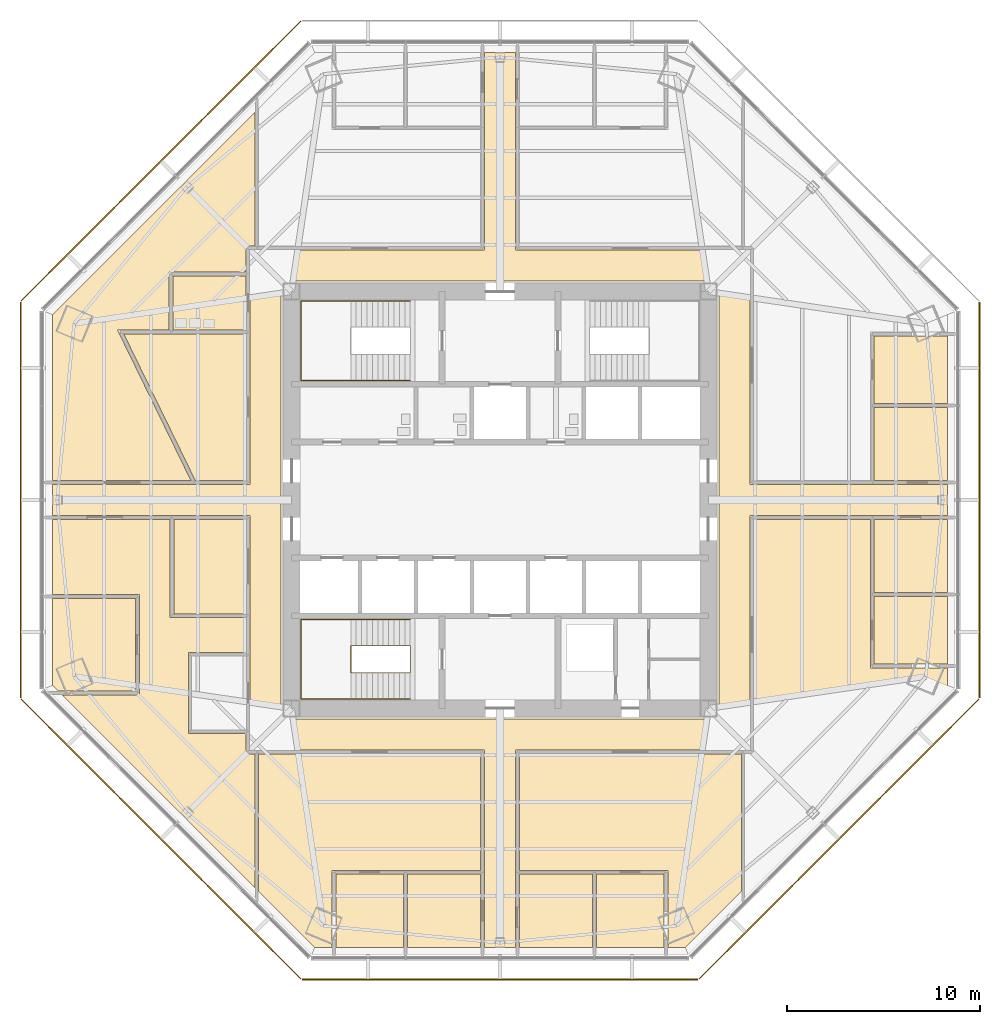
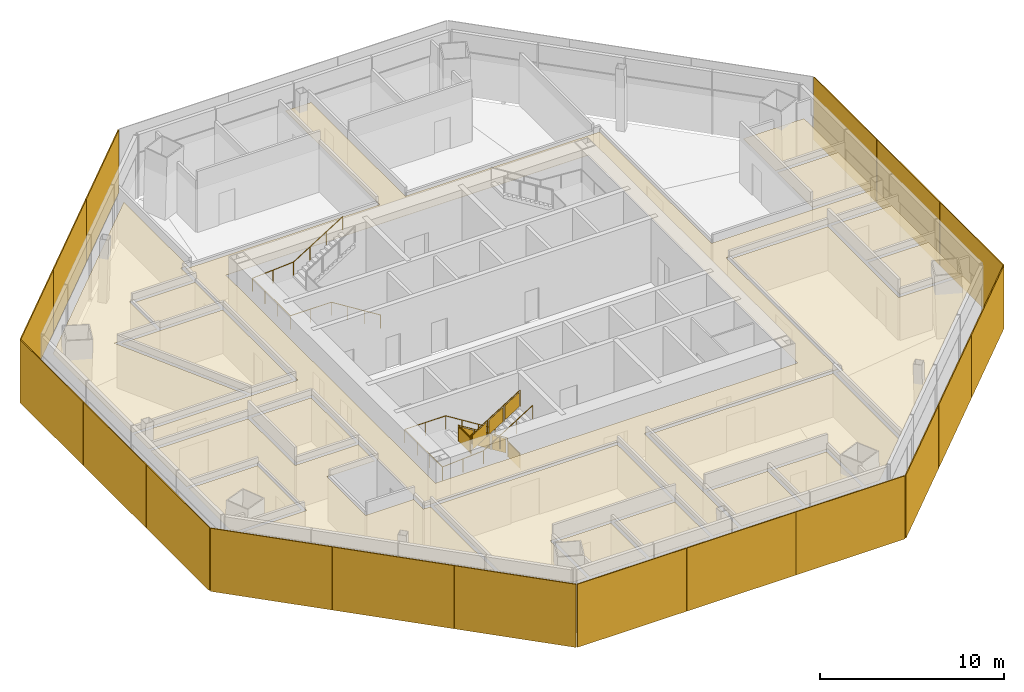
# One storey, part 13 of 15: 18 coverings, 18 shading devices, 3 railings.
"""IFC4 building model written with IfcOpenShell, lengths in metres."""

from ifc_helpers import new_model, si_unit, direction, frame, origin, origin_2d, place, context, subcontext, project, spatial, polyline, rectangle, circle, outline, extrude, source, transform, mapped, material, layer, layer_set, type_object, type_shapes, element, save


model = new_model("IFC4")

# Units and contexts
model_context = context("Model", 3, precision=1e-05, world=origin(), true_north=direction((0.0, 1.0)))
body_context = subcontext(model_context, "Body", "Model", "MODEL_VIEW")
ifc_project = project(units=[si_unit("LENGTHUNIT", "METRE"), si_unit("AREAUNIT", "SQUARE_METRE"), si_unit("VOLUMEUNIT", "CUBIC_METRE"), si_unit("PLANEANGLEUNIT", "RADIAN"), si_unit("MASSUNIT", "GRAM", prefix="KILO")], contexts=[model_context])

# Site, building, storey
site_placement = place(None, origin())
site = spatial("IfcSite", under=ifc_project, at=site_placement, CompositionType="ELEMENT")
building_placement = place(site_placement, origin())
building = spatial("IfcBuilding", under=site, at=building_placement, Name="Mashrafa Tower", CompositionType="ELEMENT")
storey_placement = place(building_placement, frame((0.0, 0.0, 151.199951171875)))
storey = spatial("IfcBuildingStorey", under=building, at=storey_placement, Name="L34", CompositionType="ELEMENT", Elevation=151.199951171875)

# Railings
ifc_material_1 = material(Name="Steel guard with glass infill", Category="steel")
railing_type_1 = type_object("IfcRailingType", Name="Stair guard 1100", PredefinedType="GUARDRAIL", material=ifc_material_1)
railing_1_placement = place(storey_placement, frame((-4.64990234375, -8.949951171875, 0.0)))
element("IfcRailing", 1, at=railing_1_placement, inside=storey, type_object=railing_type_1, Name="Stair S3 guard L34", PredefinedType="GUARDRAIL", context=body_context, shape_type="SweptSolid", body=[
    extrude(circle(Radius=0.02392578125, at=origin_2d()), frame((0.0, 0.0, 1.076171875), z_axis=(0.0, 1.0, 0.0), x_axis=(-1.0, 0.0, 0.0)), (0.0, 0.0, 1.0), 1.39990234375),
    extrude(circle(Radius=0.02392578125, at=origin_2d()), frame((0.0, 1.39990234375, 1.076171875), z_axis=(0.0, 0.0, 1.0), x_axis=(1.0, 0.0, 0.0)), (0.0, 0.0, 1.0), 0.175048828125),
    extrude(circle(Radius=0.02392578125, at=origin_2d()), frame((0.0, 1.39990234375, 1.2509765625), z_axis=(-0.847998304005, 0.0, 0.529998940003), x_axis=(0.0, -1.0, 0.0)), (0.0, 0.0, 1.0), 3.632080078125),
    extrude(circle(Radius=0.02392578125, at=origin_2d()), frame((-3.080078125, 1.39990234375, 3.17626953125), z_axis=(0.0, -1.0, 0.0), x_axis=(1.0, 0.0, 0.0)), (0.0, 0.0, 1.0), 1.39990234375),
    extrude(circle(Radius=0.02392578125, at=origin_2d()), frame((-3.080078125, 0.0, 3.17626953125), z_axis=(0.0, 0.0, 1.0), x_axis=(1.0, 0.0, 0.0)), (0.0, 0.0, 1.0), 0.175048828125),
    extrude(circle(Radius=0.02392578125, at=origin_2d()), frame((-3.080078125, 0.0, 3.35107421875), z_axis=(0.848028513186, 0.0, 0.529950602248), x_axis=(0.0, 1.0, 0.0)), (0.0, 0.0, 1.0), 3.632080078125),
    extrude(circle(Radius=0.02099609375, at=origin_2d()), origin(), (0.0, 0.0, 1.0), 1.052001953125),
    extrude(circle(Radius=0.02099609375, at=origin_2d()), frame((0.0, 1.39990234375, 0.0)), (0.0, 0.0, 1.0), 1.052001953125),
    extrude(circle(Radius=0.02099609375, at=origin_2d()), frame((0.0, 1.39990234375, 0.175048828125)), (0.0, 0.0, 1.0), 1.052001953125),
    extrude(circle(Radius=0.02099609375, at=origin_2d()), frame((-1.026611328125, 1.39990234375, 0.816650390625)), (0.0, 0.0, 1.0), 1.052001953125),
    extrude(circle(Radius=0.02099609375, at=origin_2d()), frame((-2.053466796875, 1.39990234375, 1.45849609375)), (0.0, 0.0, 1.0), 1.052001953125),
    extrude(circle(Radius=0.02099609375, at=origin_2d()), frame((-3.080078125, 1.39990234375, 2.10009765625)), (0.0, 0.0, 1.0), 1.052001953125),
    extrude(circle(Radius=0.02099609375, at=origin_2d()), frame((-3.080078125, 0.0, 2.10009765625)), (0.0, 0.0, 1.0), 1.052001953125),
    extrude(circle(Radius=0.02099609375, at=origin_2d()), frame((-3.080078125, 0.0, 2.275146484375)), (0.0, 0.0, 1.0), 1.052001953125),
    extrude(circle(Radius=0.02099609375, at=origin_2d()), frame((-2.053466796875, 0.0, 2.916748046875)), (0.0, 0.0, 1.0), 1.052001953125),
    extrude(circle(Radius=0.02099609375, at=origin_2d()), frame((-1.026611328125, 0.0, 3.558349609375)), (0.0, 0.0, 1.0), 1.052001953125),
    extrude(circle(Radius=0.02099609375, at=origin_2d()), frame((0.0, 0.0, 4.199951171875)), (0.0, 0.0, 1.0), 1.052001953125),
    extrude(outline(polyline([(0.071044921875, 0.050048828125), (1.328857421875, 0.050048828125), (1.328857421875, 1.001953125), (0.071044921875, 1.001953125), (0.071044921875, 0.050048828125)])), frame((0.006103515625, 0.0, 0.0), z_axis=(1.0, 0.0, 0.0), x_axis=(0.0, 1.0, 0.0)), (0.0, 0.0, 1.0), 0.011962890625),
    extrude(outline(polyline([(0.071044921875, 0.094482421875), (0.955810546875, 0.647216796875), (0.955810546875, 1.599365234375), (0.071044921875, 1.04638671875), (0.071044921875, 0.094482421875)])), frame((0.0, 1.406005859375, 0.175048828125), z_axis=(0.0, 1.0, 0.0), x_axis=(-1.0, 0.0, 0.0)), (0.0, 0.0, 1.0), 0.011962890625),
    extrude(outline(polyline([(1.09765625, 0.736083984375), (1.982421875, 1.2890625), (1.982421875, 2.240966796875), (1.09765625, 1.68798828125), (1.09765625, 0.736083984375)])), frame((0.0, 1.406005859375, 0.175048828125), z_axis=(0.0, 1.0, 0.0), x_axis=(-1.0, 0.0, 0.0)), (0.0, 0.0, 1.0), 0.011962890625),
    extrude(outline(polyline([(2.124267578125, 1.377685546875), (3.009033203125, 1.9306640625), (3.009033203125, 2.882568359375), (2.124267578125, 2.329833984375), (2.124267578125, 1.377685546875)])), frame((0.0, 1.406005859375, 0.175048828125), z_axis=(0.0, 1.0, 0.0), x_axis=(-1.0, 0.0, 0.0)), (0.0, 0.0, 1.0), 0.011962890625),
    extrude(outline(polyline([(0.071044921875, 0.050048828125), (1.328857421875, 0.050048828125), (1.328857421875, 1.001953125), (0.071044921875, 1.001953125), (0.071044921875, 0.050048828125)])), frame((-3.086181640625, 1.39990234375, 2.10009765625), z_axis=(-1.0, 0.0, 0.0), x_axis=(0.0, -1.0, 0.0)), (0.0, 0.0, 1.0), 0.011962890625),
    extrude(outline(polyline([(0.071044921875, 0.094482421875), (0.955810546875, 0.647216796875), (0.955810546875, 1.59912109375), (0.071044921875, 1.04638671875), (0.071044921875, 0.094482421875)])), frame((-3.080078125, -0.006103515625, 2.275146484375), z_axis=(0.0, -1.0, 0.0), x_axis=(1.0, 0.0, 0.0)), (0.0, 0.0, 1.0), 0.011962890625),
    extrude(outline(polyline([(1.09765625, 0.736083984375), (1.982421875, 1.288818359375), (1.982421875, 2.24072265625), (1.09765625, 1.68798828125), (1.09765625, 0.736083984375)])), frame((-3.080078125, -0.006103515625, 2.275146484375), z_axis=(0.0, -1.0, 0.0), x_axis=(1.0, 0.0, 0.0)), (0.0, 0.0, 1.0), 0.011962890625),
    extrude(outline(polyline([(2.124267578125, 1.377685546875), (3.009033203125, 1.930419921875), (3.009033203125, 2.88232421875), (2.124267578125, 2.32958984375), (2.124267578125, 1.377685546875)])), frame((-3.080078125, -0.006103515625, 2.275146484375), z_axis=(0.0, -1.0, 0.0), x_axis=(1.0, 0.0, 0.0)), (0.0, 0.0, 1.0), 0.011962890625),
])
ifc_material_2 = material(Name="Steel", Category="steel")
railing_type_2 = type_object("IfcRailingType", Name="Stair handrail 900", PredefinedType="HANDRAIL", material=ifc_material_2)
railing_2_placement = place(storey_placement, frame((-4.64990234375, 6.199951171875, 0.175048828125)))
element("IfcRailing", 2, at=railing_2_placement, inside=storey, type_object=railing_type_2, Name="Stair S1 handrail L34", PredefinedType="HANDRAIL", context=body_context, shape_type="SweptSolid", body=[
    extrude(circle(Radius=0.02392578125, at=origin_2d()), frame((0.0, 0.0, 0.8759765625), z_axis=(-0.847998304005, 0.0, 0.529998940003), x_axis=(0.0, -1.0, 0.0)), (0.0, 0.0, 1.0), 3.632080078125),
    extrude(circle(Radius=0.02392578125, at=origin_2d()), frame((-3.080078125, 0.0, 2.80078125), z_axis=(-1.0, 0.0, 0.0), x_axis=(0.0, -1.0, 0.0)), (0.0, 0.0, 1.0), 2.570068359375),
    extrude(circle(Radius=0.02392578125, at=origin_2d()), frame((-5.650146484375, 0.0, 2.80078125), z_axis=(0.0, 1.0, 0.0), x_axis=(-1.0, 0.0, 0.0)), (0.0, 0.0, 1.0), 4.10009765625),
    extrude(circle(Radius=0.02392578125, at=origin_2d()), frame((-5.650146484375, 4.10009765625, 2.80078125), z_axis=(0.997688514158, 0.0, 0.067953136188), x_axis=(0.0, 1.0, 0.0)), (0.0, 0.0, 1.0), 2.575927734375),
    extrude(circle(Radius=0.02392578125, at=origin_2d()), frame((-3.080078125, 4.10009765625, 2.97607421875), z_axis=(0.848028513186, 0.0, 0.529950602248), x_axis=(0.0, 1.0, 0.0)), (0.0, 0.0, 1.0), 3.632080078125),
    extrude(circle(Radius=0.02099609375, at=origin_2d()), origin(), (0.0, 0.0, 1.0), 0.851806640625),
    extrude(circle(Radius=0.02099609375, at=origin_2d()), frame((-1.026611328125, 0.0, 0.6416015625)), (0.0, 0.0, 1.0), 0.851806640625),
    extrude(circle(Radius=0.02099609375, at=origin_2d()), frame((-2.053466796875, 0.0, 1.283447265625)), (0.0, 0.0, 1.0), 0.851806640625),
    extrude(circle(Radius=0.02099609375, at=origin_2d()), frame((-3.080078125, 0.0, 1.925048828125)), (0.0, 0.0, 1.0), 0.851806640625),
    extrude(circle(Radius=0.02099609375, at=origin_2d()), frame((-4.365234375, 0.0, 1.925048828125)), (0.0, 0.0, 1.0), 0.851806640625),
    extrude(circle(Radius=0.02099609375, at=origin_2d()), frame((-5.650146484375, 0.0, 1.925048828125)), (0.0, 0.0, 1.0), 0.851806640625),
    extrude(circle(Radius=0.02099609375, at=origin_2d()), frame((-5.650146484375, 1.36669921875, 1.925048828125)), (0.0, 0.0, 1.0), 0.851806640625),
    extrude(circle(Radius=0.02099609375, at=origin_2d()), frame((-5.650146484375, 2.7333984375, 1.925048828125)), (0.0, 0.0, 1.0), 0.851806640625),
    extrude(circle(Radius=0.02099609375, at=origin_2d()), frame((-5.650146484375, 4.10009765625, 1.925048828125)), (0.0, 0.0, 1.0), 0.851806640625),
    extrude(circle(Radius=0.02099609375, at=origin_2d()), frame((-4.365234375, 4.10009765625, 2.0126953125)), (0.0, 0.0, 1.0), 0.851806640625),
    extrude(circle(Radius=0.02099609375, at=origin_2d()), frame((-3.080078125, 4.10009765625, 2.10009765625)), (0.0, 0.0, 1.0), 0.851806640625),
    extrude(circle(Radius=0.02099609375, at=origin_2d()), frame((-2.053466796875, 4.10009765625, 2.74169921875)), (0.0, 0.0, 1.0), 0.851806640625),
    extrude(circle(Radius=0.02099609375, at=origin_2d()), frame((-1.026611328125, 4.10009765625, 3.38330078125)), (0.0, 0.0, 1.0), 0.851806640625),
    extrude(circle(Radius=0.02099609375, at=origin_2d()), frame((0.0, 4.10009765625, 4.02490234375)), (0.0, 0.0, 1.0), 0.851806640625),
])
railing_3_placement = place(storey_placement, frame((-4.64990234375, -6.199951171875, 0.175048828125)))
element("IfcRailing", 3, at=railing_3_placement, inside=storey, type_object=railing_type_2, Name="Stair S3 handrail L34", PredefinedType="HANDRAIL", context=body_context, shape_type="SweptSolid", body=[
    extrude(circle(Radius=0.02392578125, at=origin_2d()), frame((0.0, 0.0, 0.8759765625), z_axis=(-0.847998304005, 0.0, 0.529998940003), x_axis=(0.0, -1.0, 0.0)), (0.0, 0.0, 1.0), 3.632080078125),
    extrude(circle(Radius=0.02392578125, at=origin_2d()), frame((-3.080078125, 0.0, 2.80078125), z_axis=(-1.0, 0.0, 0.0), x_axis=(0.0, -1.0, 0.0)), (0.0, 0.0, 1.0), 2.570068359375),
    extrude(circle(Radius=0.02392578125, at=origin_2d()), frame((-5.650146484375, 0.0, 2.80078125), z_axis=(0.0, -1.0, 0.0), x_axis=(1.0, 0.0, 0.0)), (0.0, 0.0, 1.0), 4.10009765625),
    extrude(circle(Radius=0.02392578125, at=origin_2d()), frame((-5.650146484375, -4.10009765625, 2.80078125), z_axis=(0.997688514158, 0.0, 0.067953136188), x_axis=(0.0, 1.0, 0.0)), (0.0, 0.0, 1.0), 2.575927734375),
    extrude(circle(Radius=0.02392578125, at=origin_2d()), frame((-3.080078125, -4.10009765625, 2.97607421875), z_axis=(0.848028513186, 0.0, 0.529950602248), x_axis=(0.0, 1.0, 0.0)), (0.0, 0.0, 1.0), 3.632080078125),
    extrude(circle(Radius=0.02099609375, at=origin_2d()), origin(), (0.0, 0.0, 1.0), 0.851806640625),
    extrude(circle(Radius=0.02099609375, at=origin_2d()), frame((-1.026611328125, 0.0, 0.6416015625)), (0.0, 0.0, 1.0), 0.851806640625),
    extrude(circle(Radius=0.02099609375, at=origin_2d()), frame((-2.053466796875, 0.0, 1.283447265625)), (0.0, 0.0, 1.0), 0.851806640625),
    extrude(circle(Radius=0.02099609375, at=origin_2d()), frame((-3.080078125, 0.0, 1.925048828125)), (0.0, 0.0, 1.0), 0.851806640625),
    extrude(circle(Radius=0.02099609375, at=origin_2d()), frame((-4.365234375, 0.0, 1.925048828125)), (0.0, 0.0, 1.0), 0.851806640625),
    extrude(circle(Radius=0.02099609375, at=origin_2d()), frame((-5.650146484375, 0.0, 1.925048828125)), (0.0, 0.0, 1.0), 0.851806640625),
    extrude(circle(Radius=0.02099609375, at=origin_2d()), frame((-5.650146484375, -1.36669921875, 1.925048828125)), (0.0, 0.0, 1.0), 0.851806640625),
    extrude(circle(Radius=0.02099609375, at=origin_2d()), frame((-5.650146484375, -2.7333984375, 1.925048828125)), (0.0, 0.0, 1.0), 0.851806640625),
    extrude(circle(Radius=0.02099609375, at=origin_2d()), frame((-5.650146484375, -4.10009765625, 1.925048828125)), (0.0, 0.0, 1.0), 0.851806640625),
    extrude(circle(Radius=0.02099609375, at=origin_2d()), frame((-4.365234375, -4.10009765625, 2.0126953125)), (0.0, 0.0, 1.0), 0.851806640625),
    extrude(circle(Radius=0.02099609375, at=origin_2d()), frame((-3.080078125, -4.10009765625, 2.10009765625)), (0.0, 0.0, 1.0), 0.851806640625),
    extrude(circle(Radius=0.02099609375, at=origin_2d()), frame((-2.053466796875, -4.10009765625, 2.74169921875)), (0.0, 0.0, 1.0), 0.851806640625),
    extrude(circle(Radius=0.02099609375, at=origin_2d()), frame((-1.026611328125, -4.10009765625, 3.38330078125)), (0.0, 0.0, 1.0), 0.851806640625),
    extrude(circle(Radius=0.02099609375, at=origin_2d()), frame((0.0, -4.10009765625, 4.02490234375)), (0.0, 0.0, 1.0), 0.851806640625),
])

# Coverings
ifc_material_3 = material(Name="Mineral fibre tile on suspension grid")
ifc_layer_1 = layer(ifc_material_3, 0.014892578125)
ifc_layer_set_1 = layer_set([ifc_layer_1], Name="Suspended ceiling mineral tile 15")
covering_type = type_object("IfcCoveringType", Name="Suspended ceiling mineral tile 15", PredefinedType="CEILING", material=ifc_layer_set_1)
covering_1_placement = place(storey_placement, frame((0.0, 0.0, 2.900146484375)))
element("IfcCovering", 4, at=covering_1_placement, inside=storey, type_object=covering_type, Name="Ceiling Office Corridor L34", PredefinedType="CEILING", context=body_context, shape_type="SweptSolid", body=[
    extrude(outline(polyline([(-12.949951171875, -12.949951171875), (-12.949951171875, -0.800048828125), (-23.1875, -0.800048828125), (-23.1875, 0.800048828125), (-12.949951171875, 0.800048828125), (-12.949951171875, 12.949951171875), (-0.800048828125, 12.949951171875), (-0.800048828125, 23.1875), (0.800048828125, 23.1875), (0.800048828125, 12.949951171875), (12.949951171875, 12.949951171875), (12.949951171875, 0.800048828125), (23.1875, 0.800048828125), (23.1875, -0.800048828125), (12.949951171875, -0.800048828125), (12.949951171875, -12.949951171875), (0.800048828125, -12.949951171875), (0.800048828125, -23.1875), (-0.800048828125, -23.1875), (-0.800048828125, -12.949951171875), (-12.949951171875, -12.949951171875)]), holes=[polyline([(11.35009765625, 11.35009765625), (-11.35009765625, 11.35009765625), (-11.35009765625, -11.35009765625), (11.35009765625, -11.35009765625), (11.35009765625, 11.35009765625)])]), origin(), (0.0, 0.0, 1.0), 0.014892578125),
])
covering_2_placement = place(storey_placement, frame((0.0, 0.0, 2.900146484375)))
element("IfcCovering", 5, at=covering_2_placement, inside=storey, type_object=covering_type, Name="Ceiling Musallah Prayer Room 34", PredefinedType="CEILING", context=body_context, shape_type="SweptSolid", body=[
    extrude(outline(polyline([(-15.783203125, 1.0), (-19.489990234375, 8.60009765625), (-13.14990234375, 8.60009765625), (-13.14990234375, 1.0), (-15.783203125, 1.0)])), origin(), (0.0, 0.0, 1.0), 0.014892578125),
])
covering_3_placement = place(storey_placement, frame((0.0, 0.0, 2.900146484375)))
element("IfcCovering", 6, at=covering_3_placement, inside=storey, type_object=covering_type, Name="Ceiling Ablution Room L34", PredefinedType="CEILING", context=body_context, shape_type="SweptSolid", body=[
    extrude(outline(polyline([(-16.949951171875, 8.800048828125), (-16.949951171875, 11.60009765625), (-13.14990234375, 11.60009765625), (-13.14990234375, 8.800048828125), (-16.949951171875, 8.800048828125)])), origin(), (0.0, 0.0, 1.0), 0.014892578125),
])
covering_4_placement = place(storey_placement, frame((0.0, 0.0, 2.900146484375)))
element("IfcCovering", 7, at=covering_4_placement, inside=storey, type_object=covering_type, Name="Ceiling Serviced Office 34-EA-1", PredefinedType="CEILING", context=body_context, shape_type="SweptSolid", body=[
    extrude(outline(polyline([(19.387451171875, 4.800048828125), (23.1875, 4.800048828125), (23.1875, 1.0), (19.387451171875, 1.0), (19.387451171875, 4.800048828125)])), origin(), (0.0, 0.0, 1.0), 0.014892578125),
])
covering_5_placement = place(storey_placement, frame((0.0, 0.0, 2.900146484375)))
element("IfcCovering", 8, at=covering_5_placement, inside=storey, type_object=covering_type, Name="Ceiling Serviced Office 34-NE1", PredefinedType="CEILING", context=body_context, shape_type="SweptSolid", body=[
    extrude(outline(polyline([(19.387451171875, 8.5), (23.1875, 8.5), (23.1875, 5.0), (19.387451171875, 5.0), (19.387451171875, 8.5)])), origin(), (0.0, 0.0, 1.0), 0.014892578125),
])
covering_6_placement = place(storey_placement, frame((0.0, 0.0, 2.900146484375)))
element("IfcCovering", 9, at=covering_6_placement, inside=storey, type_object=covering_type, Name="Ceiling Serviced Office 34-SE1", PredefinedType="CEILING", context=body_context, shape_type="SweptSolid", body=[
    extrude(outline(polyline([(19.387451171875, -5.0), (23.1875, -5.0), (23.1875, -8.5), (19.387451171875, -8.5), (19.387451171875, -5.0)])), origin(), (0.0, 0.0, 1.0), 0.014892578125),
])
covering_7_placement = place(storey_placement, frame((0.0, 0.0, 2.900146484375)))
element("IfcCovering", 10, at=covering_7_placement, inside=storey, type_object=covering_type, Name="Ceiling Serviced Office 34-EB-2", PredefinedType="CEILING", context=body_context, shape_type="SweptSolid", body=[
    extrude(outline(polyline([(19.387451171875, -1.0), (23.1875, -1.0), (23.1875, -4.800048828125), (19.387451171875, -4.800048828125), (19.387451171875, -1.0)])), origin(), (0.0, 0.0, 1.0), 0.014892578125),
])
covering_8_placement = place(storey_placement, frame((0.0, 0.0, 2.900146484375)))
element("IfcCovering", 11, at=covering_8_placement, inside=storey, type_object=covering_type, Name="Ceiling Serviced Office 34-SA-1", PredefinedType="CEILING", context=body_context, shape_type="SweptSolid", body=[
    extrude(outline(polyline([(1.0, -19.387451171875), (4.800048828125, -19.387451171875), (4.800048828125, -23.1875), (1.0, -23.1875), (1.0, -19.387451171875)])), origin(), (0.0, 0.0, 1.0), 0.014892578125),
])
covering_9_placement = place(storey_placement, frame((0.0, 0.0, 2.900146484375)))
element("IfcCovering", 12, at=covering_9_placement, inside=storey, type_object=covering_type, Name="Ceiling Serviced Office 34-SE2", PredefinedType="CEILING", context=body_context, shape_type="SweptSolid", body=[
    extrude(outline(polyline([(5.0, -19.387451171875), (8.5, -19.387451171875), (8.5, -23.1875), (5.0, -23.1875), (5.0, -19.387451171875)])), origin(), (0.0, 0.0, 1.0), 0.014892578125),
])
covering_10_placement = place(storey_placement, frame((0.0, 0.0, 2.900146484375)))
element("IfcCovering", 13, at=covering_10_placement, inside=storey, type_object=covering_type, Name="Ceiling Serviced Office 34-SW2", PredefinedType="CEILING", context=body_context, shape_type="SweptSolid", body=[
    extrude(outline(polyline([(-8.5, -19.387451171875), (-5.0, -19.387451171875), (-5.0, -23.1875), (-8.5, -23.1875), (-8.5, -19.387451171875)])), origin(), (0.0, 0.0, 1.0), 0.014892578125),
])
covering_11_placement = place(storey_placement, frame((0.0, 0.0, 2.900146484375)))
element("IfcCovering", 14, at=covering_11_placement, inside=storey, type_object=covering_type, Name="Ceiling Serviced Office 34-SB-2", PredefinedType="CEILING", context=body_context, shape_type="SweptSolid", body=[
    extrude(outline(polyline([(-4.800048828125, -19.387451171875), (-1.0, -19.387451171875), (-1.0, -23.1875), (-4.800048828125, -23.1875), (-4.800048828125, -19.387451171875)])), origin(), (0.0, 0.0, 1.0), 0.014892578125),
])
covering_12_placement = place(storey_placement, frame((0.0, 0.0, 2.900146484375)))
element("IfcCovering", 15, at=covering_12_placement, inside=storey, type_object=covering_type, Name="Ceiling Meeting Room 34-SW1", PredefinedType="CEILING", context=body_context, shape_type="SweptSolid", body=[
    extrude(outline(polyline([(-18.887451171875, -5.10009765625), (-18.887451171875, -9.89990234375), (-22.89208984375, -9.89990234375), (-23.1875, -9.6044921875), (-23.1875, -5.10009765625), (-18.887451171875, -5.10009765625)])), origin(), (0.0, 0.0, 1.0), 0.014892578125),
])
covering_13_placement = place(storey_placement, frame((0.0, 0.0, 2.900146484375)))
element("IfcCovering", 16, at=covering_13_placement, inside=storey, type_object=covering_type, Name="Ceiling Business Centre Reception 34", PredefinedType="CEILING", context=body_context, shape_type="SweptSolid", body=[
    extrude(outline(polyline([(-16.89990234375, -1.0), (-13.14990234375, -1.0), (-13.14990234375, -5.89990234375), (-16.89990234375, -5.89990234375), (-16.89990234375, -1.0)])), origin(), (0.0, 0.0, 1.0), 0.014892578125),
])
covering_14_placement = place(storey_placement, frame((0.0, 0.0, 2.900146484375)))
element("IfcCovering", 17, at=covering_14_placement, inside=storey, type_object=covering_type, Name="Ceiling Business Centre Suite 34-NW1", PredefinedType="CEILING", context=body_context, shape_type="SweptSolid", body=[
    extrude(outline(polyline([(-23.1875, 1.0), (-23.1875, 9.6044921875), (-12.699951171875, 20.092041015625), (-12.699951171875, 13.14990234375), (-13.14990234375, 13.14990234375), (-13.14990234375, 11.800048828125), (-17.14990234375, 11.800048828125), (-17.14990234375, 8.800048828125), (-19.81005859375, 8.800048828125), (-16.005615234375, 1.0), (-23.1875, 1.0)])), origin(), (0.0, 0.0, 1.0), 0.014892578125),
])
covering_15_placement = place(storey_placement, frame((0.0, 0.0, 2.900146484375)))
element("IfcCovering", 18, at=covering_15_placement, inside=storey, type_object=covering_type, Name="Ceiling Business Centre Suite 34-SW1", PredefinedType="CEILING", context=body_context, shape_type="SweptSolid", body=[
    extrude(outline(polyline([(-12.699951171875, -20.092041015625), (-22.692138671875, -10.10009765625), (-18.6875, -10.10009765625), (-18.6875, -4.89990234375), (-23.1875, -4.89990234375), (-23.1875, -1.0), (-17.10009765625, -1.0), (-17.10009765625, -6.10009765625), (-13.14990234375, -6.10009765625), (-13.14990234375, -7.89990234375), (-16.14990234375, -7.89990234375), (-16.14990234375, -12.10009765625), (-13.14990234375, -12.10009765625), (-13.14990234375, -13.14990234375), (-12.699951171875, -13.14990234375), (-12.699951171875, -20.092041015625)])), origin(), (0.0, 0.0, 1.0), 0.014892578125),
])
covering_16_placement = place(storey_placement, frame((0.0, 0.0, 2.900146484375)))
element("IfcCovering", 19, at=covering_16_placement, inside=storey, type_object=covering_type, Name="Ceiling Business Centre Lounge 34-SW2", PredefinedType="CEILING", context=body_context, shape_type="SweptSolid", body=[
    extrude(outline(polyline([(-8.699951171875, -23.1875), (-9.6044921875, -23.1875), (-12.5, -20.2919921875), (-12.5, -13.14990234375), (-1.0, -13.14990234375), (-1.0, -19.1875), (-8.699951171875, -19.1875), (-8.699951171875, -23.1875)])), origin(), (0.0, 0.0, 1.0), 0.014892578125),
])
covering_17_placement = place(storey_placement, frame((0.0, 0.0, 2.900146484375)))
element("IfcCovering", 20, at=covering_17_placement, inside=storey, type_object=covering_type, Name="Ceiling Business Centre Suite 34-SE1", PredefinedType="CEILING", context=body_context, shape_type="SweptSolid", body=[
    extrude(outline(polyline([(23.1875, -8.699951171875), (23.1875, -9.6044921875), (12.699951171875, -20.092041015625), (12.699951171875, -13.14990234375), (13.14990234375, -13.14990234375), (13.14990234375, -1.0), (19.1875, -1.0), (19.1875, -8.699951171875), (23.1875, -8.699951171875)])), origin(), (0.0, 0.0, 1.0), 0.014892578125),
])
covering_18_placement = place(storey_placement, frame((0.0, 0.0, 2.900146484375)))
element("IfcCovering", 21, at=covering_18_placement, inside=storey, type_object=covering_type, Name="Ceiling Business Centre Lounge 34-SE2", PredefinedType="CEILING", context=body_context, shape_type="SweptSolid", body=[
    extrude(outline(polyline([(12.5, -13.14990234375), (12.5, -20.2919921875), (9.6044921875, -23.1875), (8.699951171875, -23.1875), (8.699951171875, -19.1875), (1.0, -19.1875), (1.0, -13.14990234375), (12.5, -13.14990234375)])), origin(), (0.0, 0.0, 1.0), 0.014892578125),
])

# Shading devices
ifc_material_4 = material(Name="Perforated aluminium plate, eight-point star pattern", Category="aluminium")
ifc_layer_2 = layer(ifc_material_4, 0.06005859375)
ifc_layer_set_2 = layer_set([ifc_layer_2], Name="Mashrabiya screen panel office zone 2, 40 percent open")
shading_device_type = type_object("IfcShadingDeviceType", Name="Mashrabiya screen panel office zone 2, 40 percent open", PredefinedType="SHUTTER", material=ifc_layer_set_2)
shared_shape = source(origin(), body_context, "Body", "SweptSolid", [
    extrude(rectangle(XDim=6.82373046875, YDim=0.06005859375, at=origin_2d()), origin(), (0.0, 0.0, 1.0), 4.179931640625),
])
type_shapes(shading_device_type, [shared_shape])
for number, where, z_axis, x_axis, name in (
    (22, (24.83740234375, -6.84375, -0.14990234375), (0.0, 0.0, 1.0), (0.0, 1.0, 0.0), "Mashrabiya screen L34 east 1"),
    (23, (24.83740234375, 0.0, -0.14990234375), (0.0, 0.0, 1.0), (0.0, 1.0, 0.0), "Mashrabiya screen L34 east 2"),
    (24, (24.83740234375, 6.84375, -0.14990234375), (0.0, 0.0, 1.0), (0.0, 1.0, 0.0), "Mashrabiya screen L34 east 3"),
    (25, (-12.723388671875, 22.402099609375, -0.14990234375), (0.0, 0.0, 1.0), (-0.707106781187, -0.707106781187, 0.0), "Mashrabiya screen L34 north-west 1"),
    (26, (-17.562744140625, 17.562744140625, -0.14990234375), (0.0, 0.0, 1.0), (-0.707106781187, -0.707106781187, 0.0), "Mashrabiya screen L34 north-west 2"),
    (27, (-22.402099609375, 12.723388671875, -0.14990234375), (0.0, 0.0, 1.0), (-0.707106781187, -0.707106781187, 0.0), "Mashrabiya screen L34 north-west 3"),
    (28, (-24.83740234375, 6.84375, -0.14990234375), (0.0, 0.0, 1.0), (0.0, -1.0, 0.0), "Mashrabiya screen L34 west 1"),
    (29, (-24.83740234375, 0.0, -0.14990234375), (0.0, 0.0, 1.0), (0.0, -1.0, 0.0), "Mashrabiya screen L34 west 2"),
    (30, (-24.83740234375, -6.84375, -0.14990234375), (0.0, 0.0, 1.0), (0.0, -1.0, 0.0), "Mashrabiya screen L34 west 3"),
    (31, (-22.402099609375, -12.723388671875, -0.14990234375), (0.0, 0.0, 1.0), (0.707106781187, -0.707106781187, 0.0), "Mashrabiya screen L34 south-west 1"),
    (32, (-17.562744140625, -17.562744140625, -0.14990234375), (0.0, 0.0, 1.0), (0.707106781187, -0.707106781187, 0.0), "Mashrabiya screen L34 south-west 2"),
    (33, (-12.723388671875, -22.402099609375, -0.14990234375), (0.0, 0.0, 1.0), (0.707106781187, -0.707106781187, 0.0), "Mashrabiya screen L34 south-west 3"),
    (34, (-6.84375, -24.83740234375, -0.14990234375), (0.0, 0.0, 1.0), (1.0, 0.0, 0.0), "Mashrabiya screen L34 south 1"),
    (35, (0.0, -24.83740234375, -0.14990234375), (0.0, 0.0, 1.0), (1.0, 0.0, 0.0), "Mashrabiya screen L34 south 2"),
    (36, (6.84375, -24.83740234375, -0.14990234375), (0.0, 0.0, 1.0), (1.0, 0.0, 0.0), "Mashrabiya screen L34 south 3"),
    (37, (12.723388671875, -22.402099609375, -0.14990234375), (0.0, 0.0, 1.0), (0.707106781187, 0.707106781187, 0.0), "Mashrabiya screen L34 south-east 1"),
    (38, (17.562744140625, -17.562744140625, -0.14990234375), (0.0, 0.0, 1.0), (0.707106781187, 0.707106781187, 0.0), "Mashrabiya screen L34 south-east 2"),
    (39, (22.402099609375, -12.723388671875, -0.14990234375), (0.0, 0.0, 1.0), (0.707106781187, 0.707106781187, 0.0), "Mashrabiya screen L34 south-east 3"),
):
    element("IfcShadingDevice", number, at=place(storey_placement, frame(where, z_axis=z_axis, x_axis=x_axis)), inside=storey, type_object=shading_device_type, Name=name, PredefinedType="SHUTTER", context=body_context, shape_type="MappedRepresentation", body=[
        mapped(shared_shape, transform((0.0, 0.0, 0.0))),
    ])

save(model, "model.ifc")
